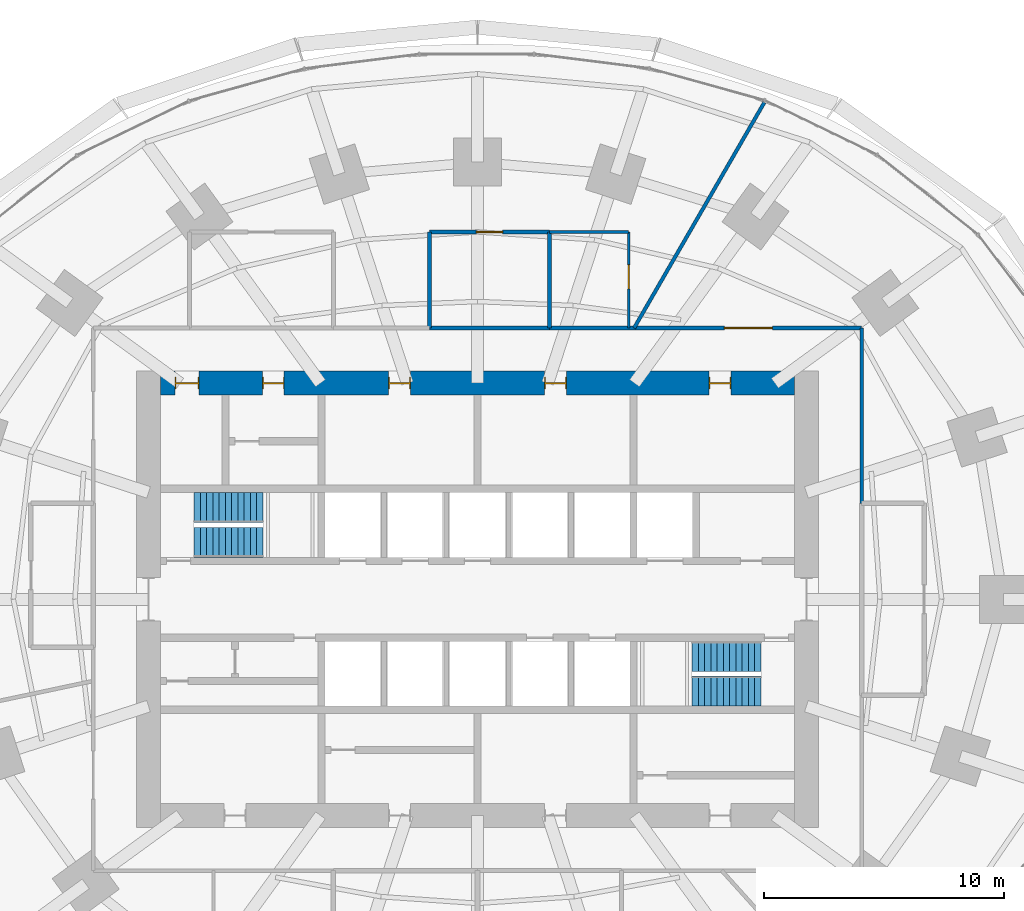
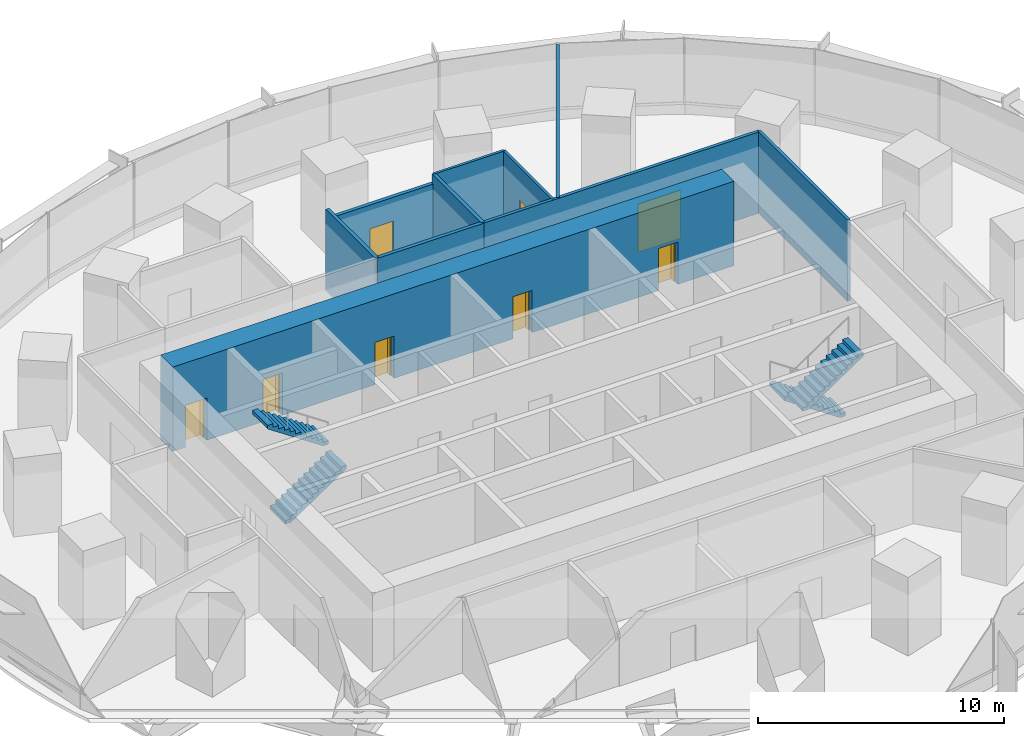
# One storey, part 13 of 15: 10 walls, 8 doors, 4 stair flights, 8 openings, 2 elements without a shape of their own.
"""IFC4 building model written with IfcOpenShell, lengths in metres."""

from ifc_helpers import new_model, si_unit, direction, frame, frame_2d, origin, place, context, subcontext, project, spatial, polyline, rectangle, outline, extrude, material, layer, layer_set, type_object, element, fill, aggregate, save


model = new_model("IFC4")

# Units and contexts
model_context = context("Model", 3, precision=1e-05, world=origin(), true_north=direction((0.0, 1.0)))
body_context = subcontext(model_context, "Body", "Model", "MODEL_VIEW")
ifc_project = project(units=[si_unit("LENGTHUNIT", "METRE"), si_unit("AREAUNIT", "SQUARE_METRE"), si_unit("VOLUMEUNIT", "CUBIC_METRE"), si_unit("PLANEANGLEUNIT", "RADIAN"), si_unit("MASSUNIT", "GRAM", prefix="KILO")], contexts=[model_context])

# Site, building, storey
site_placement = place(None, origin())
site = spatial("IfcSite", under=ifc_project, at=site_placement, CompositionType="ELEMENT")
building_placement = place(site_placement, origin())
building = spatial("IfcBuilding", under=site, at=building_placement, Name="Marramba Exchange Tower", CompositionType="ELEMENT")
storey_placement = place(building_placement, frame((0.0, 0.0, 44.800048828125)))
storey = spatial("IfcBuildingStorey", under=building, at=storey_placement, Name="L10", CompositionType="ELEMENT", Elevation=44.800048828125)

# Walls
ifc_material_1 = material(Name="Plasterboard on staggered double steel studs, acoustic insulation", Category="steel")
ifc_layer_1 = layer(ifc_material_1, 0.169921875)
ifc_layer_set_1 = layer_set([ifc_layer_1], Name="Acoustic partition 170")
wall_type_1 = type_object("IfcWallType", Name="Acoustic partition 170", PredefinedType="PARTITIONING", material=ifc_layer_set_1)
wall_1_placement = place(storey_placement, frame((3.0, 15.300048828125, 0.0), z_axis=(0.0, 0.0, 1.0), x_axis=(0.0, -1.0, 0.0)))
element("IfcWall", 1, at=wall_1_placement, inside=storey, type_object=wall_type_1, Name="Acoustic partition L10 26", PredefinedType="PARTITIONING", context=body_context, shape_type="SweptSolid", body=[
    extrude(rectangle(XDim=4.0, YDim=0.169921875, at=frame_2d((2.0, 0.0))), origin(), (0.0, 0.0, 1.0), 4.0400390625),
])
wall_2_placement = place(storey_placement, frame((-2.0, 11.300048828125, 0.0), z_axis=(0.0, 0.0, 1.0), x_axis=(1.0, 0.0, 0.0)))
element("IfcWall", 2, at=wall_2_placement, inside=storey, type_object=wall_type_1, Name="Acoustic partition L10 27", PredefinedType="PARTITIONING", context=body_context, shape_type="SweptSolid", body=[
    extrude(rectangle(XDim=5.0, YDim=0.169921875, at=frame_2d((2.5, 0.0))), origin(), (0.0, 0.0, 1.0), 4.0400390625),
])

# Wall, opening, door
wall_3_placement = place(storey_placement, frame((3.0, 15.300048828125, 0.0), z_axis=(0.0, 0.0, 1.0), x_axis=(-1.0, 0.0, 0.0)))
wall_3 = element("IfcWall", 3, at=wall_3_placement, inside=storey, type_object=wall_type_1, Name="Acoustic partition L10 28", PredefinedType="PARTITIONING", context=body_context, shape_type="SweptSolid", body=[
    extrude(rectangle(XDim=5.0, YDim=0.169921875, at=frame_2d((2.5, 0.0))), origin(), (0.0, 0.0, 1.0), 3.5859375),
])
opening_1_placement = place(wall_3_placement, frame((1.949951171875, 0.0, 0.0)))
opening_1 = element("IfcOpeningElement", 4, at=opening_1_placement, cuts=wall_3, Name="Opening D15", PredefinedType="OPENING", context=body_context, shape_type="SweptSolid", body=[
    extrude(rectangle(XDim=1.10009765625, YDim=2.39990234375, at=frame_2d((0.550048828125, 1.199951171875))), frame((0.0, 0.094970703125, 0.0), z_axis=(0.0, -1.0, 0.0), x_axis=(1.0, 0.0, 0.0)), (0.0, 0.0, 1.0), 0.18994140625),
])
ifc_material_2 = material(Name="Timber door", Category="wood")
door_type_1 = type_object("IfcDoorType", Name="Glazed meeting room door 1100x2400", OperationType="SINGLE_SWING_LEFT", PredefinedType="DOOR", material=ifc_material_2)
door_1_placement = place(opening_1_placement, origin())
door_1 = element("IfcDoor", 5, at=door_1_placement, inside=storey, type_object=door_type_1, Name="D15 Meeting Room 1 L10", OperationType="SINGLE_SWING_RIGHT", OverallHeight=2.39990234375, OverallWidth=1.10009765625, PredefinedType="DOOR", context=body_context, shape_type="SweptSolid", body=[
    extrude(rectangle(XDim=1.10009765625, YDim=2.39990234375, at=frame_2d((0.550048828125, 1.199951171875))), frame((0.0, 0.02490234375, 0.0), z_axis=(0.0, -1.0, 0.0), x_axis=(1.0, 0.0, 0.0)), (0.0, 0.0, 1.0), 0.050048828125),
])
fill(opening_1, door_1)

# Wall
wall_4_placement = place(storey_placement, frame((-2.0, 15.300048828125, 0.0), z_axis=(0.0, 0.0, 1.0), x_axis=(0.0, -1.0, 0.0)))
element("IfcWall", 6, at=wall_4_placement, inside=storey, type_object=wall_type_1, Name="Acoustic partition L10 29", PredefinedType="PARTITIONING", context=body_context, shape_type="SweptSolid", body=[
    extrude(rectangle(XDim=4.0, YDim=0.169921875, at=frame_2d((2.0, 0.0))), origin(), (0.0, 0.0, 1.0), 4.0400390625),
])

# Wall, openings, doors
ifc_material_3 = material(Name="Concrete N50", Category="concrete")
ifc_layer_2 = layer(ifc_material_3, 1.0)
ifc_layer_set_2 = layer_set([ifc_layer_2], Name="Core wall 1000")
wall_type_2 = type_object("IfcWallType", Name="Core wall 1000", PredefinedType="SHEAR", material=ifc_layer_set_2)
wall_5_placement = place(storey_placement, frame((13.199951171875, 9.0, 0.0), z_axis=(0.0, 0.0, 1.0), x_axis=(-1.0, 0.0, 0.0)))
wall_5 = element("IfcWall", 7, at=wall_5_placement, inside=storey, type_object=wall_type_2, Name="Core wall N L10", PredefinedType="SHEAR", context=body_context, shape_type="SweptSolid", body=[
    extrude(rectangle(XDim=26.39990234375, YDim=1.0, at=frame_2d((13.199951171875, 0.0))), origin(), (0.0, 0.0, 1.0), 4.199951171875),
])
opening_2_placement = place(wall_5_placement, frame((2.64990234375, 0.0, 0.0)))
opening_2 = element("IfcOpeningElement", 8, at=opening_2_placement, cuts=wall_5, Name="Opening D5", PredefinedType="OPENING", context=body_context, shape_type="SweptSolid", body=[
    extrude(rectangle(XDim=0.89990234375, YDim=2.10009765625, at=frame_2d((0.449951171875, 1.050048828125))), frame((0.0, 0.510009765625, 0.0), z_axis=(0.0, -1.0, 0.0), x_axis=(1.0, 0.0, 0.0)), (0.0, 0.0, 1.0), 1.02001953125),
])
opening_3_placement = place(wall_5_placement, frame((9.5, 0.0, 0.0)))
opening_3 = element("IfcOpeningElement", 9, at=opening_3_placement, cuts=wall_5, Name="Opening D3", PredefinedType="OPENING", context=body_context, shape_type="SweptSolid", body=[
    extrude(rectangle(XDim=0.89990234375, YDim=2.10009765625, at=frame_2d((0.449951171875, 1.050048828125))), frame((0.0, 0.510009765625, 0.0), z_axis=(0.0, -1.0, 0.0), x_axis=(1.0, 0.0, 0.0)), (0.0, 0.0, 1.0), 1.02001953125),
])
opening_4_placement = place(wall_5_placement, frame((16.0, 0.0, 0.0)))
opening_4 = element("IfcOpeningElement", 10, at=opening_4_placement, cuts=wall_5, Name="Opening D3", PredefinedType="OPENING", context=body_context, shape_type="SweptSolid", body=[
    extrude(rectangle(XDim=0.89990234375, YDim=2.10009765625, at=frame_2d((0.449951171875, 1.050048828125))), frame((0.0, 0.510009765625, 0.0), z_axis=(0.0, -1.0, 0.0), x_axis=(1.0, 0.0, 0.0)), (0.0, 0.0, 1.0), 1.02001953125),
])
opening_5_placement = place(wall_5_placement, frame((21.25, 0.0, 0.0)))
opening_5 = element("IfcOpeningElement", 11, at=opening_5_placement, cuts=wall_5, Name="Opening D5", PredefinedType="OPENING", context=body_context, shape_type="SweptSolid", body=[
    extrude(rectangle(XDim=0.89990234375, YDim=2.10009765625, at=frame_2d((0.449951171875, 1.050048828125))), frame((0.0, 0.510009765625, 0.0), z_axis=(0.0, -1.0, 0.0), x_axis=(1.0, 0.0, 0.0)), (0.0, 0.0, 1.0), 1.02001953125),
])
opening_6_placement = place(wall_5_placement, frame((24.800048828125, 0.0, 0.0)))
opening_6 = element("IfcOpeningElement", 12, at=opening_6_placement, cuts=wall_5, Name="Opening D4", PredefinedType="OPENING", context=body_context, shape_type="SweptSolid", body=[
    extrude(rectangle(XDim=1.0, YDim=2.10009765625, at=frame_2d((0.5, 1.050048828125))), frame((0.0, 0.510009765625, 0.0), z_axis=(0.0, -1.0, 0.0), x_axis=(1.0, 0.0, 0.0)), (0.0, 0.0, 1.0), 1.02001953125),
])
ifc_material_4 = material(Name="Steel-framed door", Category="steel")
door_type_2 = type_object("IfcDoorType", Name="Accessible toilet door 1000x2100", OperationType="SINGLE_SWING_LEFT", PredefinedType="DOOR", material=ifc_material_4)
door_2_placement = place(opening_6_placement, origin())
door_2 = element("IfcDoor", 13, at=door_2_placement, inside=storey, type_object=door_type_2, Name="D4 awc L10", OperationType="SINGLE_SWING_RIGHT", OverallHeight=2.10009765625, OverallWidth=1.0, PredefinedType="DOOR", context=body_context, shape_type="SweptSolid", body=[
    extrude(rectangle(XDim=0.919921875, YDim=2.06005859375, at=frame_2d((0.5, 1.030029296875))), frame((0.0, 0.02490234375, 0.0), z_axis=(0.0, -1.0, 0.0), x_axis=(1.0, 0.0, 0.0)), (0.0, 0.0, 1.0), 0.050048828125),
    extrude(rectangle(XDim=0.04, YDim=2.10009765625, at=frame_2d((0.02001953125, 1.050048828125))), frame((0.0, 0.25, 0.0), z_axis=(0.0, -1.0, 0.0), x_axis=(1.0, 0.0, 0.0)), (0.0, 0.0, 1.0), 0.5),
    extrude(rectangle(XDim=0.04, YDim=2.10009765625, at=frame_2d((0.97998046875, 1.050048828125))), frame((0.0, 0.25, 0.0), z_axis=(0.0, -1.0, 0.0), x_axis=(1.0, 0.0, 0.0)), (0.0, 0.0, 1.0), 0.5),
    extrude(rectangle(XDim=0.919921875, YDim=0.04, at=frame_2d((0.5, 2.080078125))), frame((0.0, 0.25, 0.0), z_axis=(0.0, -1.0, 0.0), x_axis=(1.0, 0.0, 0.0)), (0.0, 0.0, 1.0), 0.5),
])
fill(opening_6, door_2)
door_type_3 = type_object("IfcDoorType", Name="Service door 900x2100", OperationType="SINGLE_SWING_LEFT", PredefinedType="DOOR", material=ifc_material_4)
door_3_placement = place(opening_2_placement, origin())
door_3 = element("IfcDoor", 14, at=door_3_placement, inside=storey, type_object=door_type_3, Name="D5 comms L10", OperationType="SINGLE_SWING_LEFT", OverallHeight=2.10009765625, OverallWidth=0.89990234375, PredefinedType="DOOR", context=body_context, shape_type="SweptSolid", body=[
    extrude(rectangle(XDim=0.81982421875, YDim=2.06005859375, at=frame_2d((0.449951171875, 1.030029296875))), frame((0.0, 0.02490234375, 0.0), z_axis=(0.0, -1.0, 0.0), x_axis=(1.0, 0.0, 0.0)), (0.0, 0.0, 1.0), 0.050048828125),
    extrude(rectangle(XDim=0.04, YDim=2.10009765625, at=frame_2d((0.02001953125, 1.050048828125))), frame((0.0, 0.25, 0.0), z_axis=(0.0, -1.0, 0.0), x_axis=(1.0, 0.0, 0.0)), (0.0, 0.0, 1.0), 0.5),
    extrude(rectangle(XDim=0.04, YDim=2.10009765625, at=frame_2d((0.8798828125, 1.050048828125))), frame((0.0, 0.25, 0.0), z_axis=(0.0, -1.0, 0.0), x_axis=(1.0, 0.0, 0.0)), (0.0, 0.0, 1.0), 0.5),
    extrude(rectangle(XDim=0.81982421875, YDim=0.04, at=frame_2d((0.449951171875, 2.080078125))), frame((0.0, 0.25, 0.0), z_axis=(0.0, -1.0, 0.0), x_axis=(1.0, 0.0, 0.0)), (0.0, 0.0, 1.0), 0.5),
])
fill(opening_2, door_3)
door_4_placement = place(opening_5_placement, origin())
door_4 = element("IfcDoor", 15, at=door_4_placement, inside=storey, type_object=door_type_3, Name="D5 cleaner L10", OperationType="SINGLE_SWING_RIGHT", OverallHeight=2.10009765625, OverallWidth=0.89990234375, PredefinedType="DOOR", context=body_context, shape_type="SweptSolid", body=[
    extrude(rectangle(XDim=0.81982421875, YDim=2.06005859375, at=frame_2d((0.449951171875, 1.030029296875))), frame((0.0, 0.02490234375, 0.0), z_axis=(0.0, -1.0, 0.0), x_axis=(1.0, 0.0, 0.0)), (0.0, 0.0, 1.0), 0.050048828125),
    extrude(rectangle(XDim=0.04, YDim=2.10009765625, at=frame_2d((0.02001953125, 1.050048828125))), frame((0.0, 0.25, 0.0), z_axis=(0.0, -1.0, 0.0), x_axis=(1.0, 0.0, 0.0)), (0.0, 0.0, 1.0), 0.5),
    extrude(rectangle(XDim=0.04, YDim=2.10009765625, at=frame_2d((0.8798828125, 1.050048828125))), frame((0.0, 0.25, 0.0), z_axis=(0.0, -1.0, 0.0), x_axis=(1.0, 0.0, 0.0)), (0.0, 0.0, 1.0), 0.5),
    extrude(rectangle(XDim=0.81982421875, YDim=0.04, at=frame_2d((0.449951171875, 2.080078125))), frame((0.0, 0.25, 0.0), z_axis=(0.0, -1.0, 0.0), x_axis=(1.0, 0.0, 0.0)), (0.0, 0.0, 1.0), 0.5),
])
fill(opening_5, door_4)
door_type_4 = type_object("IfcDoorType", Name="Toilet door 900x2100", OperationType="SINGLE_SWING_LEFT", PredefinedType="DOOR", material=ifc_material_4)
door_5_placement = place(opening_3_placement, origin())
door_5 = element("IfcDoor", 16, at=door_5_placement, inside=storey, type_object=door_type_4, Name="D3 wc-f L10", OperationType="SINGLE_SWING_RIGHT", OverallHeight=2.10009765625, OverallWidth=0.89990234375, PredefinedType="DOOR", context=body_context, shape_type="SweptSolid", body=[
    extrude(rectangle(XDim=0.81982421875, YDim=2.06005859375, at=frame_2d((0.449951171875, 1.030029296875))), frame((0.0, 0.02490234375, 0.0), z_axis=(0.0, -1.0, 0.0), x_axis=(1.0, 0.0, 0.0)), (0.0, 0.0, 1.0), 0.050048828125),
    extrude(rectangle(XDim=0.04, YDim=2.10009765625, at=frame_2d((0.02001953125, 1.050048828125))), frame((0.0, 0.25, 0.0), z_axis=(0.0, -1.0, 0.0), x_axis=(1.0, 0.0, 0.0)), (0.0, 0.0, 1.0), 0.5),
    extrude(rectangle(XDim=0.04, YDim=2.10009765625, at=frame_2d((0.8798828125, 1.050048828125))), frame((0.0, 0.25, 0.0), z_axis=(0.0, -1.0, 0.0), x_axis=(1.0, 0.0, 0.0)), (0.0, 0.0, 1.0), 0.5),
    extrude(rectangle(XDim=0.81982421875, YDim=0.04, at=frame_2d((0.449951171875, 2.080078125))), frame((0.0, 0.25, 0.0), z_axis=(0.0, -1.0, 0.0), x_axis=(1.0, 0.0, 0.0)), (0.0, 0.0, 1.0), 0.5),
])
fill(opening_3, door_5)
door_6_placement = place(opening_4_placement, origin())
door_6 = element("IfcDoor", 17, at=door_6_placement, inside=storey, type_object=door_type_4, Name="D3 wc-m L10", OperationType="SINGLE_SWING_RIGHT", OverallHeight=2.10009765625, OverallWidth=0.89990234375, PredefinedType="DOOR", context=body_context, shape_type="SweptSolid", body=[
    extrude(rectangle(XDim=0.81982421875, YDim=2.06005859375, at=frame_2d((0.449951171875, 1.030029296875))), frame((0.0, 0.02490234375, 0.0), z_axis=(0.0, -1.0, 0.0), x_axis=(1.0, 0.0, 0.0)), (0.0, 0.0, 1.0), 0.050048828125),
    extrude(rectangle(XDim=0.04, YDim=2.10009765625, at=frame_2d((0.02001953125, 1.050048828125))), frame((0.0, 0.25, 0.0), z_axis=(0.0, -1.0, 0.0), x_axis=(1.0, 0.0, 0.0)), (0.0, 0.0, 1.0), 0.5),
    extrude(rectangle(XDim=0.04, YDim=2.10009765625, at=frame_2d((0.8798828125, 1.050048828125))), frame((0.0, 0.25, 0.0), z_axis=(0.0, -1.0, 0.0), x_axis=(1.0, 0.0, 0.0)), (0.0, 0.0, 1.0), 0.5),
    extrude(rectangle(XDim=0.81982421875, YDim=0.04, at=frame_2d((0.449951171875, 2.080078125))), frame((0.0, 0.25, 0.0), z_axis=(0.0, -1.0, 0.0), x_axis=(1.0, 0.0, 0.0)), (0.0, 0.0, 1.0), 0.5),
])
fill(opening_4, door_6)

# Wall, opening, door
ifc_material_5 = material(Name="Plasterboard on steel studs", Category="steel")
ifc_layer_3 = layer(ifc_material_5, 0.1201171875)
ifc_layer_set_3 = layer_set([ifc_layer_3], Name="Partition 120")
wall_type_3 = type_object("IfcWallType", Name="Partition 120", PredefinedType="PARTITIONING", material=ifc_layer_set_3)
wall_6_placement = place(storey_placement, frame((6.300048828125, 11.300048828125, 0.0), z_axis=(0.0, 0.0, 1.0), x_axis=(0.0, 1.0, 0.0)))
wall_6 = element("IfcWall", 18, at=wall_6_placement, inside=storey, type_object=wall_type_3, Name="Partition L10 24", PredefinedType="PARTITIONING", context=body_context, shape_type="SweptSolid", body=[
    extrude(rectangle(XDim=4.0, YDim=0.1201171875, at=frame_2d((2.0, 0.0))), origin(), (0.0, 0.0, 1.0), 4.0400390625),
])
opening_7_placement = place(wall_6_placement, frame((1.6279296875, 0.0, 0.0)))
opening_7 = element("IfcOpeningElement", 19, at=opening_7_placement, cuts=wall_6, Name="Opening D9", PredefinedType="OPENING", context=body_context, shape_type="SweptSolid", body=[
    extrude(rectangle(XDim=1.0, YDim=2.39990234375, at=frame_2d((0.5, 1.199951171875))), frame((0.0, 0.070068359375, 0.0), z_axis=(0.0, -1.0, 0.0), x_axis=(1.0, 0.0, 0.0)), (0.0, 0.0, 1.0), 0.14013671875),
])
door_type_5 = type_object("IfcDoorType", Name="Room door 1000x2400", OperationType="SINGLE_SWING_LEFT", PredefinedType="DOOR", material=ifc_material_2)
door_7_placement = place(opening_7_placement, origin())
door_7 = element("IfcDoor", 20, at=door_7_placement, inside=storey, type_object=door_type_5, Name="D9 Pantry 1 L10", OperationType="SINGLE_SWING_RIGHT", OverallHeight=2.39990234375, OverallWidth=1.0, PredefinedType="DOOR", context=body_context, shape_type="SweptSolid", body=[
    extrude(rectangle(XDim=1.0, YDim=2.39990234375, at=frame_2d((0.5, 1.199951171875))), frame((0.0, 0.02490234375, 0.0), z_axis=(0.0, -1.0, 0.0), x_axis=(1.0, 0.0, 0.0)), (0.0, 0.0, 1.0), 0.050048828125),
])
fill(opening_7, door_7)

# Walls
wall_7_placement = place(storey_placement, frame((6.300048828125, 15.300048828125, 0.0), z_axis=(0.0, 0.0, 1.0), x_axis=(-1.0, 0.0, 0.0)))
element("IfcWall", 21, at=wall_7_placement, inside=storey, type_object=wall_type_3, Name="Partition L10 25", PredefinedType="PARTITIONING", context=body_context, shape_type="SweptSolid", body=[
    extrude(rectangle(XDim=3.300048828125, YDim=0.1201171875, at=frame_2d((1.64990234375, 0.0))), origin(), (0.0, 0.0, 1.0), 4.0400390625),
])
ifc_material_6 = material(Name="Fire-rated plasterboard on steel studs, acoustic insulation", Category="steel")
ifc_layer_4 = layer(ifc_material_6, 0.14990234375)
ifc_layer_set_4 = layer_set([ifc_layer_4], Name="Tenancy wall 150")
wall_type_4 = type_object("IfcWallType", Name="Tenancy wall 150", PredefinedType="PARTITIONING", material=ifc_layer_set_4)
wall_8_placement = place(storey_placement, frame((16.0, 4.0, 0.0), z_axis=(0.0, 0.0, 1.0), x_axis=(0.0, 1.0, 0.0)))
element("IfcWall", 22, at=wall_8_placement, inside=storey, type_object=wall_type_4, Name="Tenancy wall L10 21", PredefinedType="PARTITIONING", context=body_context, shape_type="SweptSolid", body=[
    extrude(rectangle(XDim=7.300048828125, YDim=0.14990234375, at=frame_2d((3.64990234375, 0.0))), origin(), (0.0, 0.0, 1.0), 4.0400390625),
])

# Wall, opening, door
wall_9_placement = place(storey_placement, frame((16.0, 11.300048828125, 0.0), z_axis=(0.0, 0.0, 1.0), x_axis=(-1.0, 0.0, 0.0)))
wall_9 = element("IfcWall", 23, at=wall_9_placement, inside=storey, type_object=wall_type_4, Name="Tenancy wall L10 22", PredefinedType="PARTITIONING", context=body_context, shape_type="SweptSolid", body=[
    extrude(rectangle(XDim=13.0, YDim=0.14990234375, at=frame_2d((6.5, 0.0))), origin(), (0.0, 0.0, 1.0), 4.0400390625),
])
opening_8_placement = place(wall_9_placement, frame((3.712890625, 0.0, 0.0)))
opening_8 = element("IfcOpeningElement", 24, at=opening_8_placement, cuts=wall_9, Name="Opening D17", PredefinedType="OPENING", context=body_context, shape_type="SweptSolid", body=[
    extrude(rectangle(XDim=2.0, YDim=2.39990234375, at=frame_2d((1.0, 1.199951171875))), frame((0.0, 0.0849609375, 0.0), z_axis=(0.0, -1.0, 0.0), x_axis=(1.0, 0.0, 0.0)), (0.0, 0.0, 1.0), 0.169921875),
])
door_type_6 = type_object("IfcDoorType", Name="Trading floor entry door pair 2000x2400", OperationType="DOUBLE_DOOR_SINGLE_SWING", PredefinedType="DOOR", material=ifc_material_4)
door_8_placement = place(opening_8_placement, origin())
door_8 = element("IfcDoor", 25, at=door_8_placement, inside=storey, type_object=door_type_6, Name="D17 Trading Floor 1 L10", OperationType="DOUBLE_DOOR_SINGLE_SWING", OverallHeight=2.39990234375, OverallWidth=2.0, PredefinedType="DOOR", context=body_context, shape_type="SweptSolid", body=[
    extrude(rectangle(XDim=2.0, YDim=2.39990234375, at=frame_2d((1.0, 1.199951171875))), frame((0.0, 0.02490234375, 0.0), z_axis=(0.0, -1.0, 0.0), x_axis=(1.0, 0.0, 0.0)), (0.0, 0.0, 1.0), 0.050048828125),
])
fill(opening_8, door_8)

# Wall
wall_10_placement = place(storey_placement, frame((6.524169921875, 11.300048828125, 0.0), z_axis=(0.0, 0.0, 1.0), x_axis=(0.499989292232, 0.866031585829, 0.0)))
element("IfcWall", 26, at=wall_10_placement, inside=storey, type_object=wall_type_4, Name="Tenancy wall L10 23", PredefinedType="PARTITIONING", context=body_context, shape_type="SweptSolid", body=[
    extrude(rectangle(XDim=10.850341796875, YDim=0.14990234375, at=frame_2d((5.42529296875, 0.0))), origin(), (0.0, 0.0, 1.0), 4.0400390625),
])

# Stair, stair flights
ifc_material_7 = material(Name="Concrete N40 (40 MPa)", Category="concrete")
stair_type_1 = type_object("IfcStairType", Name="Exit stair ST1 4200 x 1250", PredefinedType="HALF_TURN_STAIR", material=ifc_material_7)
stair_1_placement = place(storey_placement, origin())
stair_1 = element("IfcStair", 27, at=stair_1_placement, inside=storey, type_object=stair_type_1, Name="Exit stair ST1 L10", PredefinedType="HALF_TURN_STAIR")
stair_flight_type_1 = type_object("IfcStairFlightType", Name="ST1 stair flight 1750 riser 1250 wide", PredefinedType="STRAIGHT", material=ifc_material_7)
stair_flight_1_placement = place(storey_placement, frame((-11.800048828125, 2.375, 0.0), z_axis=(0.0, 0.0, 1.0), x_axis=(1.0, 0.0, 0.0)))
stair_flight_1 = element("IfcStairFlight", 28, at=stair_flight_1_placement, type_object=stair_flight_type_1, Name="ST1 flight 1", NumberOfRisers=12, NumberOfTreads=11, PredefinedType="STRAIGHT", RiserHeight=0.175, TreadLength=0.26, context=body_context, shape_type="SweptSolid", body=[
    extrude(outline(polyline([(0.0, 0.0), (0.0, 0.175048828125), (0.260009765625, 0.175048828125), (0.260009765625, 0.35009765625), (0.52001953125, 0.35009765625), (0.52001953125, 0.52490234375), (0.780029296875, 0.52490234375), (0.780029296875, 0.699951171875), (1.0400390625, 0.699951171875), (1.0400390625, 0.875), (1.300048828125, 0.875), (1.300048828125, 1.050048828125), (1.56005859375, 1.050048828125), (1.56005859375, 1.22509765625), (1.820068359375, 1.22509765625), (1.820068359375, 1.39990234375), (2.080078125, 1.39990234375), (2.080078125, 1.574951171875), (2.340087890625, 1.574951171875), (2.340087890625, 1.75), (2.60009765625, 1.75), (2.60009765625, 1.925048828125), (2.860107421875, 1.925048828125), (2.860107421875, 2.10009765625), (2.860107421875, 1.744384765625), (0.2685546875, 0.0), (0.0, 0.0)])), frame((0.0, 0.625, 0.0), z_axis=(0.0, -1.0, 0.0), x_axis=(1.0, 0.0, 0.0)), (0.0, 0.0, 1.0), 1.25),
])
stair_flight_2_placement = place(storey_placement, frame((-8.93994140625, 3.824951171875, 2.099853515625), z_axis=(0.0, 0.0, 1.0), x_axis=(-1.0, 0.0, 0.0)))
stair_flight_2 = element("IfcStairFlight", 29, at=stair_flight_2_placement, type_object=stair_flight_type_1, Name="ST1 flight 2", NumberOfRisers=12, NumberOfTreads=11, PredefinedType="STRAIGHT", RiserHeight=0.175, TreadLength=0.26, context=body_context, shape_type="SweptSolid", body=[
    extrude(outline(polyline([(0.0, 0.0), (0.0, 0.175048828125), (0.260009765625, 0.175048828125), (0.260009765625, 0.35009765625), (0.52001953125, 0.35009765625), (0.52001953125, 0.52490234375), (0.780029296875, 0.52490234375), (0.780029296875, 0.699951171875), (1.0400390625, 0.699951171875), (1.0400390625, 0.875), (1.300048828125, 0.875), (1.300048828125, 1.050048828125), (1.56005859375, 1.050048828125), (1.56005859375, 1.22509765625), (1.820068359375, 1.22509765625), (1.820068359375, 1.39990234375), (2.080078125, 1.39990234375), (2.080078125, 1.574951171875), (2.340087890625, 1.574951171875), (2.340087890625, 1.75), (2.60009765625, 1.75), (2.60009765625, 1.925048828125), (2.860107421875, 1.925048828125), (2.860107421875, 2.10009765625), (2.860107421875, 1.744384765625), (0.2685546875, 0.0), (0.0, 0.0)])), frame((0.0, 0.625, 0.0), z_axis=(0.0, -1.0, 0.0), x_axis=(1.0, 0.0, 0.0)), (0.0, 0.0, 1.0), 1.25),
])
aggregate(stair_1, [stair_flight_1, stair_flight_2])

stair_type_2 = type_object("IfcStairType", Name="Exit stair ST2 4200 x 1250", PredefinedType="HALF_TURN_STAIR", material=ifc_material_7)
stair_2_placement = place(storey_placement, origin())
stair_2 = element("IfcStair", 30, at=stair_2_placement, inside=storey, type_object=stair_type_2, Name="Exit stair ST2 L10", PredefinedType="HALF_TURN_STAIR")
stair_flight_type_2 = type_object("IfcStairFlightType", Name="ST2 stair flight 1750 riser 1250 wide", PredefinedType="STRAIGHT", material=ifc_material_7)
stair_flight_3_placement = place(storey_placement, frame((11.800048828125, -2.375, 0.0), z_axis=(0.0, 0.0, 1.0), x_axis=(-1.0, 0.0, 0.0)))
stair_flight_3 = element("IfcStairFlight", 31, at=stair_flight_3_placement, type_object=stair_flight_type_2, Name="ST2 flight 1", NumberOfRisers=12, NumberOfTreads=11, PredefinedType="STRAIGHT", RiserHeight=0.175, TreadLength=0.26, context=body_context, shape_type="SweptSolid", body=[
    extrude(outline(polyline([(0.0, 0.0), (0.0, 0.175048828125), (0.260009765625, 0.175048828125), (0.260009765625, 0.35009765625), (0.52001953125, 0.35009765625), (0.52001953125, 0.52490234375), (0.780029296875, 0.52490234375), (0.780029296875, 0.699951171875), (1.0400390625, 0.699951171875), (1.0400390625, 0.875), (1.300048828125, 0.875), (1.300048828125, 1.050048828125), (1.56005859375, 1.050048828125), (1.56005859375, 1.22509765625), (1.820068359375, 1.22509765625), (1.820068359375, 1.39990234375), (2.080078125, 1.39990234375), (2.080078125, 1.574951171875), (2.340087890625, 1.574951171875), (2.340087890625, 1.75), (2.60009765625, 1.75), (2.60009765625, 1.925048828125), (2.860107421875, 1.925048828125), (2.860107421875, 2.10009765625), (2.860107421875, 1.744384765625), (0.2685546875, 0.0), (0.0, 0.0)])), frame((0.0, 0.625, 0.0), z_axis=(0.0, -1.0, 0.0), x_axis=(1.0, 0.0, 0.0)), (0.0, 0.0, 1.0), 1.25),
])
stair_flight_4_placement = place(storey_placement, frame((8.93994140625, -3.824951171875, 2.099853515625), z_axis=(0.0, 0.0, 1.0), x_axis=(1.0, 0.0, 0.0)))
stair_flight_4 = element("IfcStairFlight", 32, at=stair_flight_4_placement, type_object=stair_flight_type_2, Name="ST2 flight 2", NumberOfRisers=12, NumberOfTreads=11, PredefinedType="STRAIGHT", RiserHeight=0.175, TreadLength=0.26, context=body_context, shape_type="SweptSolid", body=[
    extrude(outline(polyline([(0.0, 0.0), (0.0, 0.175048828125), (0.260009765625, 0.175048828125), (0.260009765625, 0.35009765625), (0.52001953125, 0.35009765625), (0.52001953125, 0.52490234375), (0.780029296875, 0.52490234375), (0.780029296875, 0.699951171875), (1.0400390625, 0.699951171875), (1.0400390625, 0.875), (1.300048828125, 0.875), (1.300048828125, 1.050048828125), (1.56005859375, 1.050048828125), (1.56005859375, 1.22509765625), (1.820068359375, 1.22509765625), (1.820068359375, 1.39990234375), (2.080078125, 1.39990234375), (2.080078125, 1.574951171875), (2.340087890625, 1.574951171875), (2.340087890625, 1.75), (2.60009765625, 1.75), (2.60009765625, 1.925048828125), (2.860107421875, 1.925048828125), (2.860107421875, 2.10009765625), (2.860107421875, 1.744384765625), (0.2685546875, 0.0), (0.0, 0.0)])), frame((0.0, 0.625, 0.0), z_axis=(0.0, -1.0, 0.0), x_axis=(1.0, 0.0, 0.0)), (0.0, 0.0, 1.0), 1.25),
])
aggregate(stair_2, [stair_flight_3, stair_flight_4])

save(model, "model.ifc")
